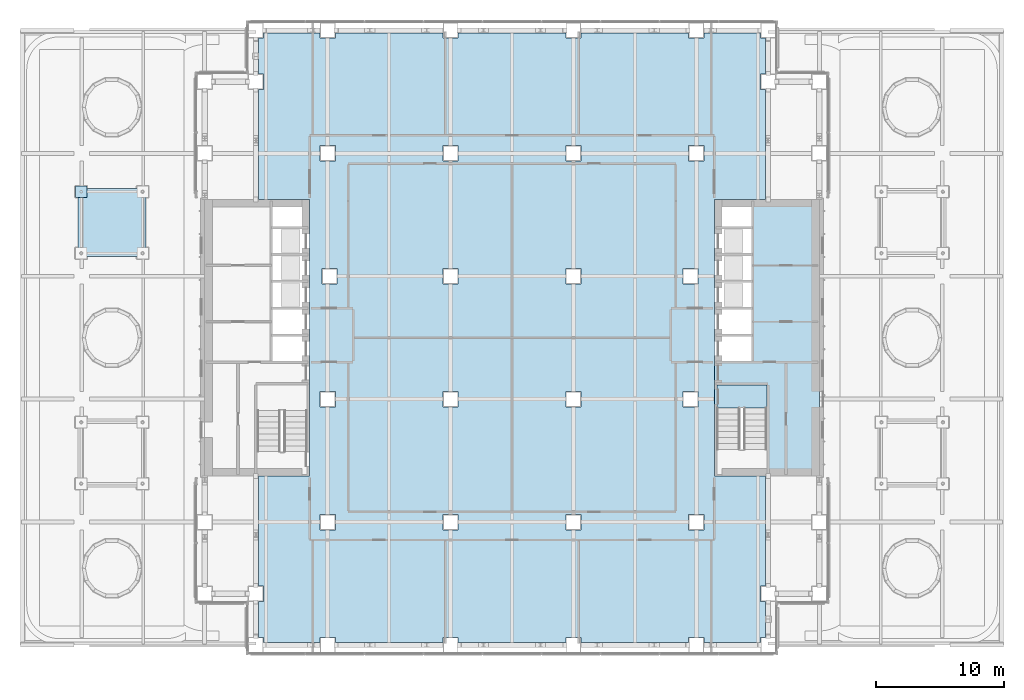
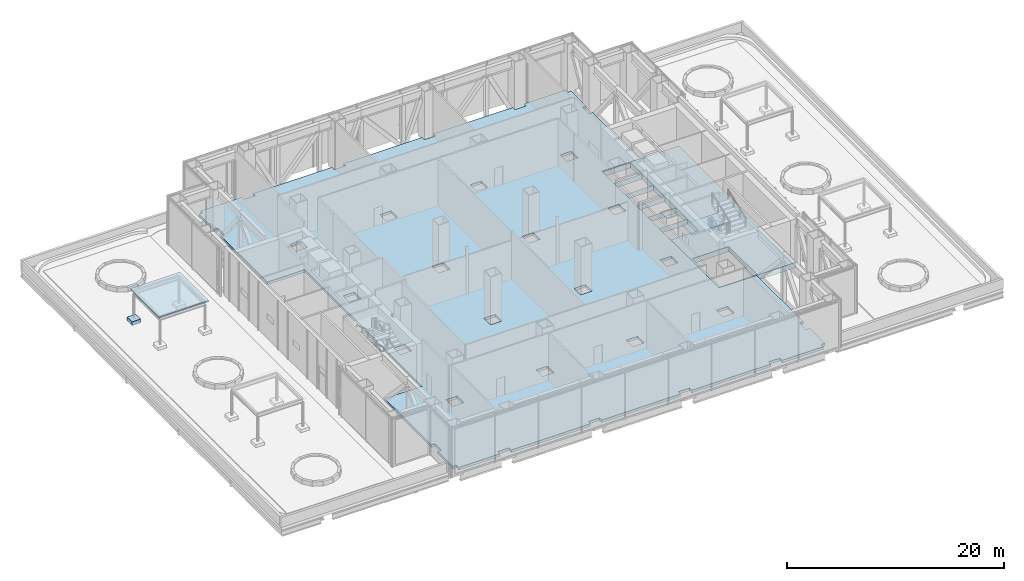
# One storey, part 20 of 39: 5 slabs, 1 element without a shape of its own.
"""IFC4 building model written with IfcOpenShell, lengths in metres."""

from ifc_helpers import new_model, si_unit, direction, frame, origin, place, context, subcontext, project, spatial, polyline, outline, extrude, material, layer, layer_set, type_object, element, aggregate, save


model = new_model("IFC4")

# Units and contexts
model_context = context("Model", 3, precision=1e-05, world=origin(), true_north=direction((0.0, 1.0)))
body_context = subcontext(model_context, "Body", "Model", "MODEL_VIEW")
ifc_project = project(units=[si_unit("LENGTHUNIT", "METRE"), si_unit("AREAUNIT", "SQUARE_METRE"), si_unit("VOLUMEUNIT", "CUBIC_METRE"), si_unit("PLANEANGLEUNIT", "RADIAN"), si_unit("MASSUNIT", "GRAM", prefix="KILO")], contexts=[model_context])

# Site, building, storey
site_placement = place(None, origin())
site = spatial("IfcSite", under=ifc_project, at=site_placement, CompositionType="ELEMENT")
building_placement = place(site_placement, origin())
building = spatial("IfcBuilding", under=site, at=building_placement, Name="Cobrizo Arcos Hotel Tower", CompositionType="ELEMENT")
storey_placement = place(building_placement, frame((0.0, 0.0, 33.5)))
storey = spatial("IfcBuildingStorey", under=building, at=storey_placement, Name="L06", CompositionType="ELEMENT", Elevation=33.5)

# Slabs
ifc_material_1 = material(Name="Concrete f'c 35 MPa", Category="concrete")
ifc_layer_1 = layer(ifc_material_1, 0.300048828125)
ifc_layer_set_1 = layer_set([ifc_layer_1], Name="Composite floor slab 300 f'c 35")
slab_type_1 = type_object("IfcSlabType", Name="Composite floor slab 300 f'c 35", PredefinedType="FLOOR", material=ifc_layer_set_1)
slab_1_placement = place(storey_placement, frame((0.0, 0.0, -0.300048828125)))
element("IfcSlab", 1, at=slab_1_placement, inside=storey, type_object=slab_type_1, Name="Floor slab S2, L06, no. 05", PredefinedType="FLOOR", context=body_context, shape_type="SweptSolid", body=[
    extrude(outline(polyline([(-13.800048828125, -23.799560546875), (-13.800048828125, -23.39990234375), (-15.0, -23.39990234375), (-15.0, -23.799560546875), (-19.39990234375, -23.799560546875), (-19.39990234375, -23.39990234375), (-19.799560546875, -23.39990234375), (-19.799560546875, -20.60009765625), (-19.39990234375, -20.60009765625), (-19.39990234375, -19.39990234375), (-19.799560546875, -19.39990234375), (-19.799560546875, -10.800048828125), (-15.800048828125, -10.800048828125), (-15.800048828125, 10.800048828125), (-19.799560546875, 10.800048828125), (-19.799560546875, 19.39990234375), (-19.39990234375, 19.39990234375), (-19.39990234375, 20.60009765625), (-19.799560546875, 20.60009765625), (-19.799560546875, 23.39990234375), (-19.39990234375, 23.39990234375), (-19.39990234375, 23.799560546875), (-15.0, 23.799560546875), (-15.0, 23.39990234375), (-13.800048828125, 23.39990234375), (-13.800048828125, 23.799560546875), (-5.39990234375, 23.799560546875), (-5.39990234375, 23.39990234375), (-4.199951171875, 23.39990234375), (-4.199951171875, 23.799560546875), (4.199951171875, 23.799560546875), (4.199951171875, 23.39990234375), (5.39990234375, 23.39990234375), (5.39990234375, 23.799560546875), (13.800048828125, 23.799560546875), (13.800048828125, 23.39990234375), (15.0, 23.39990234375), (15.0, 23.799560546875), (19.39990234375, 23.799560546875), (19.39990234375, 23.39990234375), (19.799560546875, 23.39990234375), (19.799560546875, 20.60009765625), (19.39990234375, 20.60009765625), (19.39990234375, 19.39990234375), (19.799560546875, 19.39990234375), (19.799560546875, 10.800048828125), (15.800048828125, 10.800048828125), (15.800048828125, -10.800048828125), (19.799560546875, -10.800048828125), (19.799560546875, -19.39990234375), (19.39990234375, -19.39990234375), (19.39990234375, -20.60009765625), (19.799560546875, -20.60009765625), (19.799560546875, -23.39990234375), (19.39990234375, -23.39990234375), (19.39990234375, -23.799560546875), (15.0, -23.799560546875), (15.0, -23.39990234375), (13.800048828125, -23.39990234375), (13.800048828125, -23.799560546875), (5.39990234375, -23.799560546875), (5.39990234375, -23.39990234375), (4.199951171875, -23.39990234375), (4.199951171875, -23.799560546875), (-4.199951171875, -23.799560546875), (-4.199951171875, -23.39990234375), (-5.39990234375, -23.39990234375), (-5.39990234375, -23.799560546875), (-13.800048828125, -23.799560546875)]), holes=[polyline([(-15.0, 13.800048828125), (-13.800048828125, 13.800048828125), (-13.800048828125, 15.0), (-15.0, 15.0), (-15.0, 13.800048828125)]), polyline([(13.800048828125, -15.0), (15.0, -15.0), (15.0, -13.800048828125), (13.800048828125, -13.800048828125), (13.800048828125, -15.0)]), polyline([(4.199951171875, -15.0), (5.39990234375, -15.0), (5.39990234375, -13.800048828125), (4.199951171875, -13.800048828125), (4.199951171875, -15.0)]), polyline([(-5.39990234375, -15.0), (-4.199951171875, -15.0), (-4.199951171875, -13.800048828125), (-5.39990234375, -13.800048828125), (-5.39990234375, -15.0)]), polyline([(-15.0, -15.0), (-13.800048828125, -15.0), (-13.800048828125, -13.800048828125), (-15.0, -13.800048828125), (-15.0, -15.0)]), polyline([(-5.39990234375, -5.39990234375), (-4.199951171875, -5.39990234375), (-4.199951171875, -4.199951171875), (-5.39990234375, -4.199951171875), (-5.39990234375, -5.39990234375)]), polyline([(4.199951171875, -5.39990234375), (5.39990234375, -5.39990234375), (5.39990234375, -4.199951171875), (4.199951171875, -4.199951171875), (4.199951171875, -5.39990234375)]), polyline([(13.340087890625, -5.39990234375), (14.5400390625, -5.39990234375), (14.5400390625, -4.199951171875), (13.340087890625, -4.199951171875), (13.340087890625, -5.39990234375)]), polyline([(-13.800048828125, -5.39990234375), (-13.800048828125, -4.199951171875), (-15.0, -4.199951171875), (-15.0, -5.39990234375), (-13.800048828125, -5.39990234375)]), polyline([(-5.39990234375, 4.199951171875), (-4.199951171875, 4.199951171875), (-4.199951171875, 5.39990234375), (-5.39990234375, 5.39990234375), (-5.39990234375, 4.199951171875)]), polyline([(4.199951171875, 4.199951171875), (5.39990234375, 4.199951171875), (5.39990234375, 5.39990234375), (4.199951171875, 5.39990234375), (4.199951171875, 4.199951171875)]), polyline([(-14.85009765625, 4.199951171875), (-13.64990234375, 4.199951171875), (-13.64990234375, 5.39990234375), (-14.85009765625, 5.39990234375), (-14.85009765625, 4.199951171875)]), polyline([(13.340087890625, 4.199951171875), (14.5400390625, 4.199951171875), (14.5400390625, 5.39990234375), (13.340087890625, 5.39990234375), (13.340087890625, 4.199951171875)]), polyline([(-5.39990234375, 13.800048828125), (-4.199951171875, 13.800048828125), (-4.199951171875, 15.0), (-5.39990234375, 15.0), (-5.39990234375, 13.800048828125)]), polyline([(4.199951171875, 13.800048828125), (5.39990234375, 13.800048828125), (5.39990234375, 15.0), (4.199951171875, 15.0), (4.199951171875, 13.800048828125)]), polyline([(13.800048828125, 13.800048828125), (15.0, 13.800048828125), (15.0, 15.0), (13.800048828125, 15.0), (13.800048828125, 13.800048828125)])]), origin(), (0.0, 0.0, 1.0), 0.300048828125),
])
ifc_layer_2 = layer(ifc_material_1, 0.449951171875)
ifc_layer_set_2 = layer_set([ifc_layer_2], Name="Pavilion column plinth 900 x 900 x 450")
slab_type_2 = type_object("IfcSlabType", Name="Pavilion column plinth 900 x 900 x 450", PredefinedType="BASESLAB", material=ifc_layer_set_2)
slab_2_placement = place(storey_placement, origin())
element("IfcSlab", 2, at=slab_2_placement, inside=storey, type_object=slab_type_2, Name="Pavilion 2 column plinth 4", PredefinedType="BASESLAB", context=body_context, shape_type="SweptSolid", body=[
    extrude(outline(polyline([(-33.199951171875, 10.949951171875), (-33.199951171875, 11.85009765625), (-34.10009765625, 11.85009765625), (-34.10009765625, 10.949951171875), (-33.199951171875, 10.949951171875)])), origin(), (0.0, 0.0, 1.0), 0.449951171875),
])
ifc_material_2 = material(Name="Reinforced concrete C40/50", Category="concrete")
ifc_layer_3 = layer(ifc_material_2, 0.14990234375)
ifc_layer_set_3 = layer_set([ifc_layer_3], Name="Pavilion roof slab 150")
slab_type_3 = type_object("IfcSlabType", Name="Pavilion roof slab 150", PredefinedType="ROOF", material=ifc_layer_set_3)
slab_3_placement = place(storey_placement, frame((0.0, 0.0, 3.556396484375)))
element("IfcSlab", 3, at=slab_3_placement, inside=storey, type_object=slab_type_3, Name="Pavilion 2 roof", PredefinedType="ROOF", context=body_context, shape_type="SweptSolid", body=[
    extrude(outline(polyline([(-33.89990234375, 6.35009765625), (-28.60009765625, 6.35009765625), (-28.60009765625, 11.64990234375), (-33.89990234375, 11.64990234375), (-33.89990234375, 6.35009765625)])), origin(), (0.0, 0.0, 1.0), 0.14990234375),
])
ifc_material_3 = material(Name="Concrete f'c 60 MPa", Category="concrete")
ifc_layer_4 = layer(ifc_material_3, 0.60009765625)
ifc_layer_set_4 = layer_set([ifc_layer_4], Name="RC core floor slab 600 f'c 60")
slab_type_4 = type_object("IfcSlabType", Name="RC core floor slab 600 f'c 60", PredefinedType="FLOOR", material=ifc_layer_set_4)
slab_4_placement = place(storey_placement, frame((0.0, 0.0, -0.60009765625)))
element("IfcSlab", 4, at=slab_4_placement, inside=storey, type_object=slab_type_4, Name="Core floor slab CS1, east core, L06", PredefinedType="FLOOR", context=body_context, shape_type="SweptSolid", body=[
    extrude(outline(polyline([(15.800048828125, 10.800048828125), (24.0, 10.800048828125), (24.0, -10.800048828125), (15.800048828125, -10.800048828125), (15.800048828125, 10.800048828125)]), holes=[polyline([(19.89794921875, -10.697998046875), (19.89794921875, -5.501953125), (16.001953125, -5.501953125), (16.001953125, -10.697998046875), (19.89794921875, -10.697998046875)]), polyline([(15.802001953125, 0.197998046875), (15.802001953125, -1.89794921875), (18.798095703125, -1.89794921875), (18.798095703125, 0.197998046875), (15.802001953125, 0.197998046875)]), polyline([(18.798095703125, 2.298095703125), (15.802001953125, 2.298095703125), (15.802001953125, 0.201904296875), (18.798095703125, 0.201904296875), (18.798095703125, 2.298095703125)]), polyline([(18.798095703125, 4.39794921875), (15.802001953125, 4.39794921875), (15.802001953125, 2.302001953125), (18.798095703125, 2.302001953125), (18.798095703125, 4.39794921875)]), polyline([(15.802001953125, 6.498046875), (15.802001953125, 4.402099609375), (18.798095703125, 4.402099609375), (18.798095703125, 6.498046875), (15.802001953125, 6.498046875)]), polyline([(18.798095703125, 8.597900390625), (15.802001953125, 8.597900390625), (15.802001953125, 6.501953125), (18.798095703125, 6.501953125), (18.798095703125, 8.597900390625)]), polyline([(18.798095703125, 10.697998046875), (15.802001953125, 10.697998046875), (15.802001953125, 8.60205078125), (18.798095703125, 8.60205078125), (18.798095703125, 10.697998046875)])]), origin(), (0.0, 0.0, 1.0), 0.60009765625),
])

# Stair, slab
ifc_material_4 = material(Name="Concrete f'c 40 MPa", Category="concrete")
stair_type = type_object("IfcStairType", Name="Exit stair", PredefinedType="HALF_TURN_STAIR", material=ifc_material_4)
stair_placement = place(storey_placement, origin())
stair = element("IfcStair", 5, at=stair_placement, inside=storey, type_object=stair_type, Name="L06 Exit stair ST-E", PredefinedType="HALF_TURN_STAIR")
ifc_layer_5 = layer(ifc_material_4, 0.199951171875)
ifc_layer_set_5 = layer_set([ifc_layer_5], Name="Stair landing")
slab_type_5 = type_object("IfcSlabType", Name="Stair landing", PredefinedType="LANDING", material=ifc_layer_set_5)
slab_5_placement = place(storey_placement, frame((0.0, 0.0, 2.550048828125)))
slab_5 = element("IfcSlab", 6, at=slab_5_placement, type_object=slab_type_5, Name="ST-E landing 2", PredefinedType="LANDING", context=body_context, shape_type="SweptSolid", body=[
    extrude(outline(polyline([(16.0, -3.699951171875), (16.0, -5.5), (19.89990234375, -5.5), (19.89990234375, -3.699951171875), (16.0, -3.699951171875)])), origin(), (0.0, 0.0, 1.0), 0.199951171875),
])
aggregate(stair, [slab_5])

save(model, "model.ifc")
